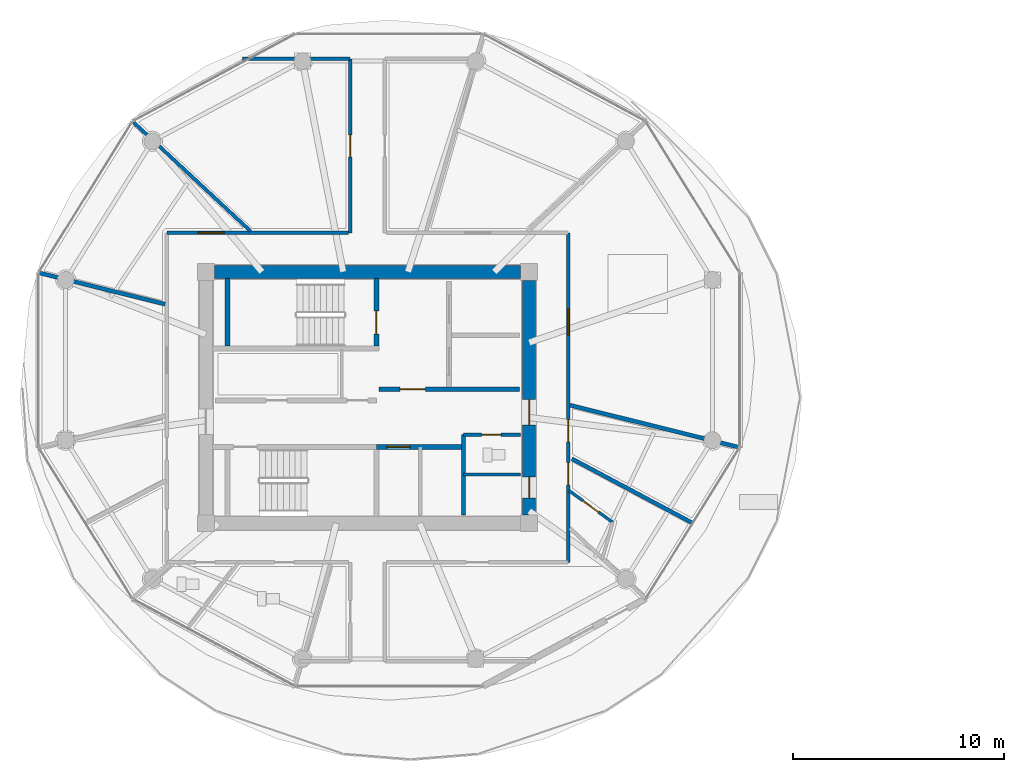
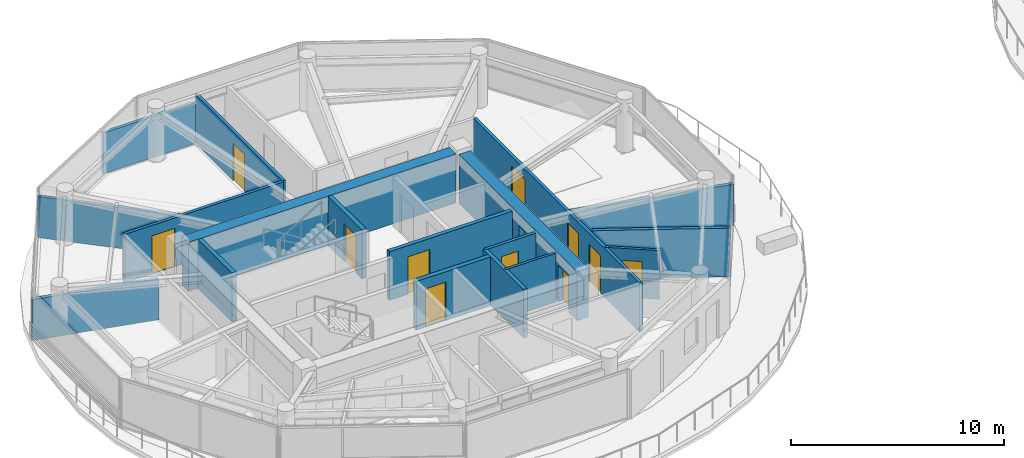
# One storey, part 14 of 28: 18 walls, 12 doors, 12 openings.
"""IFC4 building model written with IfcOpenShell, lengths in metres."""

from ifc_helpers import new_model, si_unit, direction, frame, frame_2d, origin, place, context, subcontext, project, spatial, rectangle, extrude, source, transform, mapped, material, layer, layer_set, type_object, type_shapes, element, fill, save


model = new_model("IFC4")

# Units and contexts
model_context = context("Model", 3, precision=1e-05, world=origin(), true_north=direction((0.0, 1.0)))
body_context = subcontext(model_context, "Body", "Model", "MODEL_VIEW")
ifc_project = project(units=[si_unit("LENGTHUNIT", "METRE"), si_unit("AREAUNIT", "SQUARE_METRE"), si_unit("VOLUMEUNIT", "CUBIC_METRE"), si_unit("PLANEANGLEUNIT", "RADIAN"), si_unit("MASSUNIT", "GRAM", prefix="KILO")], contexts=[model_context])

# Site, building, storey
site_placement = place(None, origin())
site = spatial("IfcSite", under=ifc_project, at=site_placement, CompositionType="ELEMENT")
building_placement = place(site_placement, origin())
building = spatial("IfcBuilding", under=site, at=building_placement, Name="Norrkilde Senior Care Towers", CompositionType="ELEMENT")
storey_placement = place(building_placement, frame((0.0, 0.0, 134.300048828125)))
storey = spatial("IfcBuildingStorey", under=building, at=storey_placement, Name="L41", CompositionType="ELEMENT", Elevation=134.300048828125)

# Wall
ifc_material_1 = material(Name="Concrete C50/60", Category="concrete")
ifc_layer_1 = layer(ifc_material_1, 0.6201171875)
ifc_layer_set_1 = layer_set([ifc_layer_1], Name="Concrete C50/60")
wall_type_1 = type_object("IfcWallType", Name="Core Shear Wall Z3 620", PredefinedType="SHEAR", material=ifc_layer_set_1)
shared_shape_1 = source(origin(), body_context, "Body", "SweptSolid", [
    extrude(rectangle(XDim=14.5, YDim=0.6201171875, at=frame_2d((7.25, 0.0))), origin(), (0.0, 0.0, 1.0), 2.81005859375),
])
wall_1_placement = place(storey_placement, frame((-35.25, 5.949951171875, 0.0), z_axis=(0.0, 0.0, 1.0), x_axis=(1.0, 0.0, 0.0)))
element("IfcWall", 1, at=wall_1_placement, inside=storey, type_object=wall_type_1, Name="L41 Core W North Shear Wall", PredefinedType="SHEAR", context=body_context, shape_type="MappedRepresentation", body=[
    mapped(shared_shape_1, transform((0.0, 0.0, 0.0), x_axis=(1.0, 0.0, 0.0), y_axis=(0.0, 1.0, 0.0), z_axis=(0.0, 0.0, 1.0), scale=1.0)),
])

# Wall, openings, doors
shared_shape_2 = source(origin(), body_context, "Body", "SweptSolid", [
    extrude(rectangle(XDim=11.10009765625, YDim=0.6201171875, at=frame_2d((5.550048828125, 0.0))), origin(), (0.0, 0.0, 1.0), 2.81005859375),
])
type_shapes(wall_type_1, [shared_shape_1, shared_shape_2])
wall_2_placement = place(storey_placement, frame((-20.35009765625, 5.550048828125, 0.0), z_axis=(0.0, 0.0, 1.0), x_axis=(0.0, -1.0, 0.0)))
wall_2 = element("IfcWall", 2, at=wall_2_placement, inside=storey, type_object=wall_type_1, Name="L41 Core W East Shear Wall", PredefinedType="SHEAR", context=body_context, shape_type="MappedRepresentation", body=[
    mapped(shared_shape_2, transform((0.0, 0.0, 0.0), x_axis=(1.0, 0.0, 0.0), y_axis=(0.0, 1.0, 0.0), z_axis=(0.0, 0.0, 1.0), scale=1.0)),
])
opening_1_placement = place(wall_2_placement, frame((5.64990234375, 0.0, 0.0)))
opening_1 = element("IfcOpeningElement", 3, at=opening_1_placement, cuts=wall_2, Name="Opening D-04", PredefinedType="OPENING", context=body_context, shape_type="SweptSolid", body=[
    extrude(rectangle(XDim=1.199951171875, YDim=2.14990234375, at=frame_2d((0.60009765625, 1.074951171875))), frame((0.0, 0.320068359375, 0.0), z_axis=(0.0, -1.0, 0.0), x_axis=(1.0, 0.0, 0.0)), (0.0, 0.0, 1.0), 0.64013671875),
])
opening_2_placement = place(wall_2_placement, frame((9.300048828125, 0.0, 0.0)))
opening_2 = element("IfcOpeningElement", 4, at=opening_2_placement, cuts=wall_2, Name="Opening D-10", PredefinedType="OPENING", context=body_context, shape_type="SweptSolid", body=[
    extrude(rectangle(XDim=1.0, YDim=2.10009765625, at=frame_2d((0.5, 1.050048828125))), frame((0.0, 0.320068359375, 0.0), z_axis=(0.0, -1.0, 0.0), x_axis=(1.0, 0.0, 0.0)), (0.0, 0.0, 1.0), 0.64013671875),
])
ifc_material_2 = material(Name="Galvanised Painted Steel", Category="steel")
door_type_1 = type_object("IfcDoorType", Name="Firefighting Lobby Fire Door 1200x2150", OperationType="NOTDEFINED", PredefinedType="DOOR", material=ifc_material_2)
shared_shape_3 = source(origin(), body_context, "Body", "SweptSolid", [
    extrude(rectangle(XDim=1.199951171875, YDim=2.14990234375, at=frame_2d((0.60009765625, 1.074951171875))), frame((0.0, 0.02490234375, 0.0), z_axis=(0.0, -1.0, 0.0), x_axis=(1.0, 0.0, 0.0)), (0.0, 0.0, 1.0), 0.050048828125),
])
type_shapes(door_type_1, [shared_shape_3])
door_1_placement = place(opening_1_placement, frame((1.199951171875, 0.0, 0.0), z_axis=(0.0, 0.0, 1.0), x_axis=(-1.0, 0.0, 0.0)))
door_1 = element("IfcDoor", 5, at=door_1_placement, inside=storey, type_object=door_type_1, Name="L41 Core W East Portal Door", OperationType="SINGLE_SWING_RIGHT", OverallHeight=2.14990234375, OverallWidth=1.199951171875, PredefinedType="DOOR", context=body_context, shape_type="MappedRepresentation", body=[
    mapped(shared_shape_3, transform((0.0, 0.0, 0.0), x_axis=(1.0, 0.0, 0.0), y_axis=(0.0, 1.0, 0.0), z_axis=(0.0, 0.0, 1.0), scale=1.0)),
])
fill(opening_1, door_1)
door_type_2 = type_object("IfcDoorType", Name="Plant and Riser Rated Door 1000x2100", OperationType="NOTDEFINED", PredefinedType="DOOR", material=ifc_material_2)
shared_shape_4 = source(origin(), body_context, "Body", "SweptSolid", [
    extrude(rectangle(XDim=1.0, YDim=2.10009765625, at=frame_2d((0.5, 1.050048828125))), frame((0.0, 0.02490234375, 0.0), z_axis=(0.0, -1.0, 0.0), x_axis=(1.0, 0.0, 0.0)), (0.0, 0.0, 1.0), 0.050048828125),
])
type_shapes(door_type_2, [shared_shape_4])
door_2_placement = place(opening_2_placement, frame((1.0, 0.0, 0.0), z_axis=(0.0, 0.0, 1.0), x_axis=(-1.0, 0.0, 0.0)))
door_2 = element("IfcDoor", 6, at=door_2_placement, inside=storey, type_object=door_type_2, Name="L41 Ventilation Riser W Door", OperationType="SINGLE_SWING_RIGHT", OverallHeight=2.10009765625, OverallWidth=1.0, PredefinedType="DOOR", context=body_context, shape_type="MappedRepresentation", body=[
    mapped(shared_shape_4, transform((0.0, 0.0, 0.0), x_axis=(1.0, 0.0, 0.0), y_axis=(0.0, 1.0, 0.0), z_axis=(0.0, 0.0, 1.0), scale=1.0)),
])
fill(opening_2, door_2)

# Wall
ifc_material_3 = material(Name="Concrete C45/55", Category="concrete")
ifc_layer_2 = layer(ifc_material_3, 0.239990234375)
ifc_layer_set_2 = layer_set([ifc_layer_2], Name="Concrete C45/55")
wall_type_2 = type_object("IfcWallType", Name="Shaft and Stair Enclosure Wall 240", PredefinedType="PARTITIONING", material=ifc_layer_set_2)
shared_shape_5 = source(origin(), body_context, "Body", "SweptSolid", [
    extrude(rectangle(XDim=3.18994140625, YDim=0.239990234375, at=frame_2d((1.594970703125, 0.0))), origin(), (0.0, 0.0, 1.0), 2.81005859375),
])
type_shapes(wall_type_2, [shared_shape_5])
wall_3_placement = place(storey_placement, frame((-34.6201171875, 2.449951171875, 0.0), z_axis=(0.0, 0.0, 1.0), x_axis=(0.0, 1.0, 0.0)))
element("IfcWall", 7, at=wall_3_placement, inside=storey, type_object=wall_type_2, Name="WL-INT-L41-W-ST1W", PredefinedType="PARTITIONING", context=body_context, shape_type="MappedRepresentation", body=[
    mapped(shared_shape_5, transform((0.0, 0.0, 0.0), x_axis=(1.0, 0.0, 0.0), y_axis=(0.0, 1.0, 0.0), z_axis=(0.0, 0.0, 1.0), scale=1.0)),
])

# Wall, opening, door
wall_4_placement = place(storey_placement, frame((-27.580078125, 2.449951171875, 0.0), z_axis=(0.0, 0.0, 1.0), x_axis=(0.0, 1.0, 0.0)))
wall_4 = element("IfcWall", 8, at=wall_4_placement, inside=storey, type_object=wall_type_2, Name="WL-INT-L41-W-ST1E", PredefinedType="PARTITIONING", context=body_context, shape_type="MappedRepresentation", body=[
    mapped(shared_shape_5, transform((0.0, 0.0, 0.0), x_axis=(1.0, 0.0, 0.0), y_axis=(0.0, 1.0, 0.0), z_axis=(0.0, 0.0, 1.0), scale=1.0)),
])
opening_3_placement = place(wall_4_placement, frame((0.550048828125, 0.0, 0.0)))
opening_3 = element("IfcOpeningElement", 9, at=opening_3_placement, cuts=wall_4, Name="Opening D-03", PredefinedType="OPENING", context=body_context, shape_type="SweptSolid", body=[
    extrude(rectangle(XDim=1.10009765625, YDim=2.14990234375, at=frame_2d((0.550048828125, 1.074951171875))), frame((0.0, 0.1298828125, 0.0), z_axis=(0.0, -1.0, 0.0), x_axis=(1.0, 0.0, 0.0)), (0.0, 0.0, 1.0), 0.260009765625),
])
door_type_3 = type_object("IfcDoorType", Name="Stairwell Protected Fire Door 1100x2150", OperationType="NOTDEFINED", PredefinedType="DOOR", material=ifc_material_2)
shared_shape_6 = source(origin(), body_context, "Body", "SweptSolid", [
    extrude(rectangle(XDim=1.10009765625, YDim=2.14990234375, at=frame_2d((0.550048828125, 1.074951171875))), frame((0.0, 0.02490234375, 0.0), z_axis=(0.0, -1.0, 0.0), x_axis=(1.0, 0.0, 0.0)), (0.0, 0.0, 1.0), 0.050048828125),
])
type_shapes(door_type_3, [shared_shape_6])
door_3_placement = place(opening_3_placement, origin())
door_3 = element("IfcDoor", 10, at=door_3_placement, inside=storey, type_object=door_type_3, Name="L41 Stair W1 Fire Door", OperationType="SINGLE_SWING_LEFT", OverallHeight=2.14990234375, OverallWidth=1.10009765625, PredefinedType="DOOR", context=body_context, shape_type="MappedRepresentation", body=[
    mapped(shared_shape_6, transform((0.0, 0.0, 0.0), x_axis=(1.0, 0.0, 0.0), y_axis=(0.0, 1.0, 0.0), z_axis=(0.0, 0.0, 1.0), scale=1.0)),
])
fill(opening_3, door_3)

ifc_layer_3 = layer(ifc_material_3, 0.2099609375)
ifc_layer_set_3 = layer_set([ifc_layer_3], Name="Concrete C45/55")
wall_type_3 = type_object("IfcWallType", Name="Firefighting Lobby Wall 210", PredefinedType="PARTITIONING", material=ifc_layer_set_3)
shared_shape_7 = source(origin(), body_context, "Body", "SweptSolid", [
    extrude(rectangle(XDim=6.659912109375, YDim=0.2099609375, at=frame_2d((3.330078125, 0.0))), origin(), (0.0, 0.0, 1.0), 2.794921875),
])
type_shapes(wall_type_3, [shared_shape_7])
wall_5_placement = place(storey_placement, frame((-27.4599609375, 0.389892578125, 0.0), z_axis=(0.0, 0.0, 1.0), x_axis=(1.0, 0.0, 0.0)))
wall_5 = element("IfcWall", 11, at=wall_5_placement, inside=storey, type_object=wall_type_3, Name="WL-INT-L41-W-FFLS", PredefinedType="PARTITIONING", context=body_context, shape_type="MappedRepresentation", body=[
    mapped(shared_shape_7, transform((0.0, 0.0, 0.0), x_axis=(1.0, 0.0, 0.0), y_axis=(0.0, 1.0, 0.0), z_axis=(0.0, 0.0, 1.0), scale=1.0)),
])
opening_4_placement = place(wall_5_placement, frame((1.0, 0.0, 0.0)))
opening_4 = element("IfcOpeningElement", 12, at=opening_4_placement, cuts=wall_5, Name="Opening D-04", PredefinedType="OPENING", context=body_context, shape_type="SweptSolid", body=[
    extrude(rectangle(XDim=1.199951171875, YDim=2.14990234375, at=frame_2d((0.60009765625, 1.074951171875))), frame((0.0, 0.114990234375, 0.0), z_axis=(0.0, -1.0, 0.0), x_axis=(1.0, 0.0, 0.0)), (0.0, 0.0, 1.0), 0.22998046875),
])
door_4_placement = place(opening_4_placement, frame((1.199951171875, 0.0, 0.0), z_axis=(0.0, 0.0, 1.0), x_axis=(-1.0, 0.0, 0.0)))
door_4 = element("IfcDoor", 13, at=door_4_placement, inside=storey, type_object=door_type_1, Name="L41 Firefighting Lobby W Door", OperationType="SINGLE_SWING_LEFT", OverallHeight=2.14990234375, OverallWidth=1.199951171875, PredefinedType="DOOR", context=body_context, shape_type="MappedRepresentation", body=[
    mapped(shared_shape_3, transform((0.0, 0.0, 0.0), x_axis=(1.0, 0.0, 0.0), y_axis=(0.0, 1.0, 0.0), z_axis=(0.0, 0.0, 1.0), scale=1.0)),
])
fill(opening_4, door_4)

# Wall
ifc_layer_4 = layer(ifc_material_3, 0.199951171875)
ifc_layer_set_4 = layer_set([ifc_layer_4], Name="Concrete C45/55")
wall_type_4 = type_object("IfcWallType", Name="Shaft Division and Plant Partition 200", PredefinedType="PARTITIONING", material=ifc_layer_set_4)
shared_shape_8 = source(origin(), body_context, "Body", "SweptSolid", [
    extrude(rectangle(XDim=3.800048828125, YDim=0.199951171875, at=frame_2d((1.89990234375, 0.0))), origin(), (0.0, 0.0, 1.0), 2.794921875),
])
type_shapes(wall_type_4, [shared_shape_8])
wall_6_placement = place(storey_placement, frame((-23.449951171875, -5.550048828125, 0.0), z_axis=(0.0, 0.0, 1.0), x_axis=(0.0, 1.0, 0.0)))
element("IfcWall", 14, at=wall_6_placement, inside=storey, type_object=wall_type_4, Name="WL-INT-L41-W-PKBE", PredefinedType="PARTITIONING", context=body_context, shape_type="MappedRepresentation", body=[
    mapped(shared_shape_8, transform((0.0, 0.0, 0.0), x_axis=(1.0, 0.0, 0.0), y_axis=(0.0, 1.0, 0.0), z_axis=(0.0, 0.0, 1.0), scale=1.0)),
])

# Wall, opening, door
ifc_layer_5 = layer(ifc_material_3, 0.239990234375)
ifc_layer_set_5 = layer_set([ifc_layer_5], Name="Concrete C45/55")
wall_type_5 = type_object("IfcWallType", Name="Lift and Plant Rated Enclosure Partition 240", PredefinedType="PARTITIONING", material=ifc_layer_set_5)
shared_shape_9 = source(origin(), body_context, "Body", "SweptSolid", [
    extrude(rectangle(XDim=4.130126953125, YDim=0.239990234375, at=frame_2d((2.06494140625, 0.0))), origin(), (0.0, 0.0, 1.0), 2.794921875),
])
type_shapes(wall_type_5, [shared_shape_9])
wall_7_placement = place(storey_placement, frame((-27.580078125, -2.330078125, 0.0), z_axis=(0.0, 0.0, 1.0), x_axis=(1.0, 0.0, 0.0)))
wall_7 = element("IfcWall", 15, at=wall_7_placement, inside=storey, type_object=wall_type_5, Name="WL-INT-L41-W-PKBN", PredefinedType="PARTITIONING", context=body_context, shape_type="MappedRepresentation", body=[
    mapped(shared_shape_9, transform((0.0, 0.0, 0.0), x_axis=(1.0, 0.0, 0.0), y_axis=(0.0, 1.0, 0.0), z_axis=(0.0, 0.0, 1.0), scale=1.0)),
])
opening_5_placement = place(wall_7_placement, frame((0.5, 0.0, 0.0)))
opening_5 = element("IfcOpeningElement", 16, at=opening_5_placement, cuts=wall_7, Name="Opening LD-01", PredefinedType="OPENING", context=body_context, shape_type="SweptSolid", body=[
    extrude(rectangle(XDim=1.10009765625, YDim=2.199951171875, at=frame_2d((0.550048828125, 1.10009765625))), frame((0.0, 0.1298828125, 0.0), z_axis=(0.0, -1.0, 0.0), x_axis=(1.0, 0.0, 0.0)), (0.0, 0.0, 1.0), 0.260009765625),
])
ifc_material_4 = material(Name="Stainless Steel", Category="steel")
door_type_4 = type_object("IfcDoorType", Name="Lift Landing Sliding Door 1100x2200", OperationType="NOTDEFINED", PredefinedType="DOOR", material=ifc_material_4)
shared_shape_10 = source(origin(), body_context, "Body", "SweptSolid", [
    extrude(rectangle(XDim=1.10009765625, YDim=2.199951171875, at=frame_2d((0.550048828125, 1.10009765625))), frame((0.0, 0.02490234375, 0.0), z_axis=(0.0, -1.0, 0.0), x_axis=(1.0, 0.0, 0.0)), (0.0, 0.0, 1.0), 0.050048828125),
])
type_shapes(door_type_4, [shared_shape_10])
door_5_placement = place(opening_5_placement, frame((1.10009765625, 0.0, 0.0), z_axis=(0.0, 0.0, 1.0), x_axis=(-1.0, 0.0, 0.0)))
door_5 = element("IfcDoor", 17, at=door_5_placement, inside=storey, type_object=door_type_4, Name="L41 Passenger Lift W3 Landing Door", OperationType="SLIDING_TO_LEFT", OverallHeight=2.199951171875, OverallWidth=1.10009765625, PredefinedType="DOOR", context=body_context, shape_type="MappedRepresentation", body=[
    mapped(shared_shape_10, transform((0.0, 0.0, 0.0), x_axis=(1.0, 0.0, 0.0), y_axis=(0.0, 1.0, 0.0), z_axis=(0.0, 0.0, 1.0), scale=1.0)),
])
fill(opening_5, door_5)

ifc_material_5 = material(Name="Gypsum Acoustic Board")
ifc_layer_6 = layer(ifc_material_5, 0.1650390625)
ifc_layer_set_6 = layer_set([ifc_layer_6], Name="Gypsum Acoustic Board")
wall_type_6 = type_object("IfcWallType", Name="Corridor Rated Partition 165", PredefinedType="PARTITIONING", material=ifc_layer_set_6)
shared_shape_11 = source(origin(), body_context, "Body", "SweptSolid", [
    extrude(rectangle(XDim=2.699951171875, YDim=0.1650390625, at=frame_2d((1.35009765625, 0.0))), origin(), (0.0, 0.0, 1.0), 2.794921875),
])
wall_8_placement = place(storey_placement, frame((-23.449951171875, -1.75, 0.0), z_axis=(0.0, 0.0, 1.0), x_axis=(1.0, 0.0, 0.0)))
wall_8 = element("IfcWall", 18, at=wall_8_placement, inside=storey, type_object=wall_type_6, Name="WL-INT-L41-W-CSN", PredefinedType="PARTITIONING", context=body_context, shape_type="MappedRepresentation", body=[
    mapped(shared_shape_11, transform((0.0, 0.0, 0.0), x_axis=(1.0, 0.0, 0.0), y_axis=(0.0, 1.0, 0.0), z_axis=(0.0, 0.0, 1.0), scale=1.0)),
])
opening_6_placement = place(wall_8_placement, frame((0.85009765625, 0.0, 0.0)))
opening_6 = element("IfcOpeningElement", 19, at=opening_6_placement, cuts=wall_8, Name="Opening D-12", PredefinedType="OPENING", context=body_context, shape_type="SweptSolid", body=[
    extrude(rectangle(XDim=0.925048828125, YDim=2.10009765625, at=frame_2d((0.46240234375, 1.050048828125))), frame((0.0, 0.092529296875, 0.0), z_axis=(0.0, -1.0, 0.0), x_axis=(1.0, 0.0, 0.0)), (0.0, 0.0, 1.0), 0.18505859375),
])
door_type_5 = type_object("IfcDoorType", Name="Core Wet Room Rated Door 925x2100", OperationType="NOTDEFINED", PredefinedType="DOOR", material=ifc_material_2)
shared_shape_12 = source(origin(), body_context, "Body", "SweptSolid", [
    extrude(rectangle(XDim=0.925048828125, YDim=2.10009765625, at=frame_2d((0.46240234375, 1.050048828125))), frame((0.0, 0.02490234375, 0.0), z_axis=(0.0, -1.0, 0.0), x_axis=(1.0, 0.0, 0.0)), (0.0, 0.0, 1.0), 0.050048828125),
])
type_shapes(door_type_5, [shared_shape_12])
door_6_placement = place(opening_6_placement, origin())
door_6 = element("IfcDoor", 20, at=door_6_placement, inside=storey, type_object=door_type_5, Name="L41 Staff WC W Door", OperationType="SINGLE_SWING_LEFT", OverallHeight=2.10009765625, OverallWidth=0.925048828125, PredefinedType="DOOR", context=body_context, shape_type="MappedRepresentation", body=[
    mapped(shared_shape_12, transform((0.0, 0.0, 0.0), x_axis=(1.0, 0.0, 0.0), y_axis=(0.0, 1.0, 0.0), z_axis=(0.0, 0.0, 1.0), scale=1.0)),
])
fill(opening_6, door_6)

# Wall
ifc_layer_7 = layer(ifc_material_5, 0.139892578125)
ifc_layer_set_7 = layer_set([ifc_layer_7], Name="Gypsum Acoustic Board")
wall_type_7 = type_object("IfcWallType", Name="En-suite Wet Room Wall 140", PredefinedType="PARTITIONING", material=ifc_layer_set_7)
shared_shape_13 = source(origin(), body_context, "Body", "SweptSolid", [
    extrude(rectangle(XDim=2.699951171875, YDim=0.139892578125, at=frame_2d((1.35009765625, 0.0))), origin(), (0.0, 0.0, 1.0), 2.794921875),
])
wall_9_placement = place(storey_placement, frame((-23.449951171875, -3.64990234375, 0.0), z_axis=(0.0, 0.0, 1.0), x_axis=(1.0, 0.0, 0.0)))
element("IfcWall", 21, at=wall_9_placement, inside=storey, type_object=wall_type_7, Name="WL-INT-L41-W-CS2H", PredefinedType="PARTITIONING", context=body_context, shape_type="MappedRepresentation", body=[
    mapped(shared_shape_13, transform((0.0, 0.0, 0.0), x_axis=(1.0, 0.0, 0.0), y_axis=(0.0, 1.0, 0.0), z_axis=(0.0, 0.0, 1.0), scale=1.0)),
])

# Wall, opening, door
shared_shape_14 = source(origin(), body_context, "Body", "SweptSolid", [
    extrude(rectangle(XDim=8.60009765625, YDim=0.1650390625, at=frame_2d((4.300048828125, 0.0))), origin(), (0.0, 0.0, 1.0), 2.794921875),
])
wall_10_placement = place(storey_placement, frame((-37.5, 7.800048828125, 0.0), z_axis=(0.0, 0.0, 1.0), x_axis=(1.0, 0.0, 0.0)))
wall_10 = element("IfcWall", 22, at=wall_10_placement, inside=storey, type_object=wall_type_6, Name="WL-INT-L41-W-CRW-N-0", PredefinedType="PARTITIONING", context=body_context, shape_type="MappedRepresentation", body=[
    mapped(shared_shape_14, transform((0.0, 0.0, 0.0), x_axis=(1.0, 0.0, 0.0), y_axis=(0.0, 1.0, 0.0), z_axis=(0.0, 0.0, 1.0), scale=1.0)),
])
opening_7_placement = place(wall_10_placement, frame((1.47119140625, 0.0, 0.0)))
opening_7 = element("IfcOpeningElement", 23, at=opening_7_placement, cuts=wall_10, Name="Opening D-05", PredefinedType="OPENING", context=body_context, shape_type="SweptSolid", body=[
    extrude(rectangle(XDim=1.25, YDim=2.199951171875, at=frame_2d((0.625, 1.10009765625))), frame((0.0, 0.092529296875, 0.0), z_axis=(0.0, -1.0, 0.0), x_axis=(1.0, 0.0, 0.0)), (0.0, 0.0, 1.0), 0.18505859375),
])
ifc_material_6 = material(Name="Nordic Ash Timber", Category="wood")
door_type_6 = type_object("IfcDoorType", Name="Care Bedroom Bariatric Door 1250x2200", OperationType="NOTDEFINED", PredefinedType="DOOR", material=ifc_material_6)
shared_shape_15 = source(origin(), body_context, "Body", "SweptSolid", [
    extrude(rectangle(XDim=1.25, YDim=2.199951171875, at=frame_2d((0.625, 1.10009765625))), frame((0.0, 0.02490234375, 0.0), z_axis=(0.0, -1.0, 0.0), x_axis=(1.0, 0.0, 0.0)), (0.0, 0.0, 1.0), 0.050048828125),
])
type_shapes(door_type_6, [shared_shape_15])
door_7_placement = place(opening_7_placement, frame((1.25, 0.0, 0.0), z_axis=(0.0, 0.0, 1.0), x_axis=(-1.0, 0.0, 0.0)))
door_7 = element("IfcDoor", 24, at=door_7_placement, inside=storey, type_object=door_type_6, Name="L41 Sky-Garden Observatory Dining Salon L41 Door", OperationType="SINGLE_SWING_LEFT", OverallHeight=2.199951171875, OverallWidth=1.25, PredefinedType="DOOR", context=body_context, shape_type="MappedRepresentation", body=[
    mapped(shared_shape_15, transform((0.0, 0.0, 0.0), x_axis=(1.0, 0.0, 0.0), y_axis=(0.0, 1.0, 0.0), z_axis=(0.0, 0.0, 1.0), scale=1.0)),
])
fill(opening_7, door_7)

# Wall, openings, doors
shared_shape_16 = source(origin(), body_context, "Body", "SweptSolid", [
    extrude(rectangle(XDim=15.60009765625, YDim=0.1650390625, at=frame_2d((7.800048828125, 0.0))), origin(), (0.0, 0.0, 1.0), 2.794921875),
])
wall_11_placement = place(storey_placement, frame((-18.5, 7.800048828125, 0.0), z_axis=(0.0, 0.0, 1.0), x_axis=(0.0, -1.0, 0.0)))
wall_11 = element("IfcWall", 25, at=wall_11_placement, inside=storey, type_object=wall_type_6, Name="WL-INT-L41-W-CRW-E-0", PredefinedType="PARTITIONING", context=body_context, shape_type="MappedRepresentation", body=[
    mapped(shared_shape_16, transform((0.0, 0.0, 0.0), x_axis=(1.0, 0.0, 0.0), y_axis=(0.0, 1.0, 0.0), z_axis=(0.0, 0.0, 1.0), scale=1.0)),
])
opening_8_placement = place(wall_11_placement, frame((10.881103515625, 0.0, 0.0)))
opening_8 = element("IfcOpeningElement", 26, at=opening_8_placement, cuts=wall_11, Name="Opening D-06", PredefinedType="OPENING", context=body_context, shape_type="SweptSolid", body=[
    extrude(rectangle(XDim=1.050048828125, YDim=2.14990234375, at=frame_2d((0.52490234375, 1.074951171875))), frame((0.0, 0.092529296875, 0.0), z_axis=(0.0, -1.0, 0.0), x_axis=(1.0, 0.0, 0.0)), (0.0, 0.0, 1.0), 0.18505859375),
])
opening_9_placement = place(wall_11_placement, frame((8.844482421875, 0.0, 0.0)))
opening_9 = element("IfcOpeningElement", 27, at=opening_9_placement, cuts=wall_11, Name="Opening D-06", PredefinedType="OPENING", context=body_context, shape_type="SweptSolid", body=[
    extrude(rectangle(XDim=1.050048828125, YDim=2.14990234375, at=frame_2d((0.52490234375, 1.074951171875))), frame((0.0, 0.092529296875, 0.0), z_axis=(0.0, -1.0, 0.0), x_axis=(1.0, 0.0, 0.0)), (0.0, 0.0, 1.0), 0.18505859375),
])
opening_10_placement = place(wall_11_placement, frame((3.595703125, 0.0, 0.0)))
opening_10 = element("IfcOpeningElement", 28, at=opening_10_placement, cuts=wall_11, Name="Opening D-05", PredefinedType="OPENING", context=body_context, shape_type="SweptSolid", body=[
    extrude(rectangle(XDim=1.25, YDim=2.199951171875, at=frame_2d((0.625, 1.10009765625))), frame((0.0, 0.092529296875, 0.0), z_axis=(0.0, -1.0, 0.0), x_axis=(1.0, 0.0, 0.0)), (0.0, 0.0, 1.0), 0.18505859375),
])
door_8_placement = place(opening_10_placement, frame((1.25, 0.0, 0.0), z_axis=(0.0, 0.0, 1.0), x_axis=(-1.0, 0.0, 0.0)))
door_8 = element("IfcDoor", 29, at=door_8_placement, inside=storey, type_object=door_type_6, Name="L41 Household Communal Dining Salon Door", OperationType="SINGLE_SWING_RIGHT", OverallHeight=2.199951171875, OverallWidth=1.25, PredefinedType="DOOR", context=body_context, shape_type="MappedRepresentation", body=[
    mapped(shared_shape_15, transform((0.0, 0.0, 0.0), x_axis=(1.0, 0.0, 0.0), y_axis=(0.0, 1.0, 0.0), z_axis=(0.0, 0.0, 1.0), scale=1.0)),
])
fill(opening_10, door_8)
door_type_7 = type_object("IfcDoorType", Name="Apartment Entrance Fire Door 1050x2150", OperationType="NOTDEFINED", PredefinedType="DOOR", material=ifc_material_6)
shared_shape_17 = source(origin(), body_context, "Body", "SweptSolid", [
    extrude(rectangle(XDim=1.050048828125, YDim=2.14990234375, at=frame_2d((0.52490234375, 1.074951171875))), frame((0.0, 0.02490234375, 0.0), z_axis=(0.0, -1.0, 0.0), x_axis=(1.0, 0.0, 0.0)), (0.0, 0.0, 1.0), 0.050048828125),
])
type_shapes(door_type_7, [shared_shape_17])
door_9_placement = place(opening_8_placement, frame((1.050048828125, 0.0, 0.0), z_axis=(0.0, 0.0, 1.0), x_axis=(-1.0, 0.0, 0.0)))
door_9 = element("IfcDoor", 30, at=door_9_placement, inside=storey, type_object=door_type_7, Name="L41 Care Suite 4110A Entrance Door", OperationType="SINGLE_SWING_LEFT", OverallHeight=2.14990234375, OverallWidth=1.050048828125, PredefinedType="DOOR", context=body_context, shape_type="MappedRepresentation", body=[
    mapped(shared_shape_17, transform((0.0, 0.0, 0.0), x_axis=(1.0, 0.0, 0.0), y_axis=(0.0, 1.0, 0.0), z_axis=(0.0, 0.0, 1.0), scale=1.0)),
])
fill(opening_8, door_9)
door_10_placement = place(opening_9_placement, frame((1.050048828125, 0.0, 0.0), z_axis=(0.0, 0.0, 1.0), x_axis=(-1.0, 0.0, 0.0)))
door_10 = element("IfcDoor", 31, at=door_10_placement, inside=storey, type_object=door_type_7, Name="L41 Therapy Day Lounge 10 Door", OperationType="SINGLE_SWING_RIGHT", OverallHeight=2.14990234375, OverallWidth=1.050048828125, PredefinedType="DOOR", context=body_context, shape_type="MappedRepresentation", body=[
    mapped(shared_shape_17, transform((0.0, 0.0, 0.0), x_axis=(1.0, 0.0, 0.0), y_axis=(0.0, 1.0, 0.0), z_axis=(0.0, 0.0, 1.0), scale=1.0)),
])
fill(opening_9, door_10)

# Wall
shared_shape_18 = source(origin(), body_context, "Body", "SweptSolid", [
    extrude(rectangle(XDim=7.64794921875, YDim=0.1650390625, at=frame_2d((3.823974609375, 0.0))), origin(), (0.0, 0.0, 1.0), 2.344970703125),
])
wall_12_placement = place(storey_placement, frame((-33.53759765625, 7.8798828125, 0.0), z_axis=(0.0, 0.0, 1.0), x_axis=(-0.732167856666, 0.681124239522, 0.0)))
element("IfcWall", 32, at=wall_12_placement, inside=storey, type_object=wall_type_6, Name="WL-INT-L41-W-DEM-04-0", PredefinedType="PARTITIONING", context=body_context, shape_type="MappedRepresentation", body=[
    mapped(shared_shape_18, transform((0.0, 0.0, 0.0), x_axis=(1.0, 0.0, 0.0), y_axis=(0.0, 1.0, 0.0), z_axis=(0.0, 0.0, 1.0), scale=1.0)),
])

# Wall, opening, door
shared_shape_19 = source(origin(), body_context, "Body", "SweptSolid", [
    extrude(rectangle(XDim=8.2353515625, YDim=0.1650390625, at=frame_2d((4.11767578125, 0.0))), origin(), (0.0, 0.0, 1.0), 2.794921875),
])
wall_13_placement = place(storey_placement, frame((-28.820068359375, 7.800048828125, 0.0), z_axis=(0.0, 0.0, 1.0), x_axis=(0.0, 1.0, 0.0)))
wall_13 = element("IfcWall", 33, at=wall_13_placement, inside=storey, type_object=wall_type_6, Name="WL-INT-L41-W-PKW-NWL", PredefinedType="PARTITIONING", context=body_context, shape_type="MappedRepresentation", body=[
    mapped(shared_shape_19, transform((0.0, 0.0, 0.0), x_axis=(1.0, 0.0, 0.0), y_axis=(0.0, 1.0, 0.0), z_axis=(0.0, 0.0, 1.0), scale=1.0)),
])
opening_11_placement = place(wall_13_placement, frame((3.5927734375, 0.0, 0.0)))
opening_11 = element("IfcOpeningElement", 34, at=opening_11_placement, cuts=wall_13, Name="Opening D-06", PredefinedType="OPENING", context=body_context, shape_type="SweptSolid", body=[
    extrude(rectangle(XDim=1.050048828125, YDim=2.14990234375, at=frame_2d((0.52490234375, 1.074951171875))), frame((0.0, 0.092529296875, 0.0), z_axis=(0.0, -1.0, 0.0), x_axis=(1.0, 0.0, 0.0)), (0.0, 0.0, 1.0), 0.18505859375),
])
door_11_placement = place(opening_11_placement, frame((1.050048828125, 0.0, 0.0), z_axis=(0.0, 0.0, 1.0), x_axis=(-1.0, 0.0, 0.0)))
door_11 = element("IfcDoor", 35, at=door_11_placement, inside=storey, type_object=door_type_7, Name="L41 Reading Lounge NWL Door", OperationType="SINGLE_SWING_RIGHT", OverallHeight=2.14990234375, OverallWidth=1.050048828125, PredefinedType="DOOR", context=body_context, shape_type="MappedRepresentation", body=[
    mapped(shared_shape_17, transform((0.0, 0.0, 0.0), x_axis=(1.0, 0.0, 0.0), y_axis=(0.0, 1.0, 0.0), z_axis=(0.0, 0.0, 1.0), scale=1.0)),
])
fill(opening_11, door_11)

# Walls
shared_shape_20 = source(origin(), body_context, "Body", "SweptSolid", [
    extrude(rectangle(XDim=5.0888671875, YDim=0.1650390625, at=frame_2d((2.54443359375, 0.0))), origin(), (0.0, 0.0, 1.0), 2.344970703125),
])
type_shapes(wall_type_6, [shared_shape_11, shared_shape_14, shared_shape_16, shared_shape_18, shared_shape_19, shared_shape_20])
wall_14_placement = place(storey_placement, frame((-33.908935546875, 16.035400390625, 0.0), z_axis=(0.0, 0.0, 1.0), x_axis=(1.0, 0.0, 0.0)))
element("IfcWall", 36, at=wall_14_placement, inside=storey, type_object=wall_type_6, Name="WL-INT-L41-W-PKH-NWL-0", PredefinedType="PARTITIONING", context=body_context, shape_type="MappedRepresentation", body=[
    mapped(shared_shape_20, transform((0.0, 0.0, 0.0), x_axis=(1.0, 0.0, 0.0), y_axis=(0.0, 1.0, 0.0), z_axis=(0.0, 0.0, 1.0), scale=1.0)),
])
ifc_layer_8 = layer(ifc_material_5, 0.18994140625)
ifc_layer_set_8 = layer_set([ifc_layer_8], Name="Gypsum Acoustic Board")
wall_type_8 = type_object("IfcWallType", Name="Unit Demising Acoustic Wall 190", PredefinedType="PARTITIONING", material=ifc_layer_set_8)
shared_shape_21 = source(origin(), body_context, "Body", "SweptSolid", [
    extrude(rectangle(XDim=6.192626953125, YDim=0.18994140625, at=frame_2d((3.09619140625, 0.0))), origin(), (0.0, 0.0, 1.0), 2.344970703125),
])
wall_15_placement = place(storey_placement, frame((-37.580078125, 4.418701171875, 0.0), z_axis=(0.0, 0.0, 1.0), x_axis=(-0.970309243466, 0.241867674657, 0.0)))
element("IfcWall", 37, at=wall_15_placement, inside=storey, type_object=wall_type_8, Name="WL-INT-L41-W-DEM-05-0", PredefinedType="PARTITIONING", context=body_context, shape_type="MappedRepresentation", body=[
    mapped(shared_shape_21, transform((0.0, 0.0, 0.0), x_axis=(1.0, 0.0, 0.0), y_axis=(0.0, 1.0, 0.0), z_axis=(0.0, 0.0, 1.0), scale=1.0)),
])
shared_shape_22 = source(origin(), body_context, "Body", "SweptSolid", [
    extrude(rectangle(XDim=8.305419921875, YDim=0.18994140625, at=frame_2d((4.15283203125, 0.0))), origin(), (0.0, 0.0, 1.0), 2.344970703125),
])
wall_16_placement = place(storey_placement, frame((-18.419921875, -0.35693359375, 0.0), z_axis=(0.0, 0.0, 1.0), x_axis=(0.970309994378, -0.241864662175, 0.0)))
element("IfcWall", 38, at=wall_16_placement, inside=storey, type_object=wall_type_8, Name="WL-INT-L41-W-DEM-11-0", PredefinedType="PARTITIONING", context=body_context, shape_type="MappedRepresentation", body=[
    mapped(shared_shape_22, transform((0.0, 0.0, 0.0), x_axis=(1.0, 0.0, 0.0), y_axis=(0.0, 1.0, 0.0), z_axis=(0.0, 0.0, 1.0), scale=1.0)),
])
shared_shape_23 = source(origin(), body_context, "Body", "SweptSolid", [
    extrude(rectangle(XDim=6.499267578125, YDim=0.18994140625, at=frame_2d((3.24951171875, 0.0))), origin(), (0.0, 0.0, 1.0), 2.794921875),
])
type_shapes(wall_type_8, [shared_shape_21, shared_shape_22, shared_shape_23])
wall_17_placement = place(storey_placement, frame((-18.32373046875, -2.89794921875, 0.0), z_axis=(0.0, 0.0, 1.0), x_axis=(0.882700013711, -0.469936895545, 0.0)))
element("IfcWall", 39, at=wall_17_placement, inside=storey, type_object=wall_type_8, Name="WL-INT-L41-W-CMID-10", PredefinedType="PARTITIONING", context=body_context, shape_type="MappedRepresentation", body=[
    mapped(shared_shape_23, transform((0.0, 0.0, 0.0), x_axis=(1.0, 0.0, 0.0), y_axis=(0.0, 1.0, 0.0), z_axis=(0.0, 0.0, 1.0), scale=1.0)),
])

# Wall, opening, door
shared_shape_24 = source(origin(), body_context, "Body", "SweptSolid", [
    extrude(rectangle(XDim=2.563232421875, YDim=0.139892578125, at=frame_2d((1.28173828125, 0.0))), origin(), (0.0, 0.0, 1.0), 2.794921875),
])
type_shapes(wall_type_7, [shared_shape_13, shared_shape_24])
wall_18_placement = place(storey_placement, frame((-18.469970703125, -4.39697265625, 0.0), z_axis=(0.0, 0.0, 1.0), x_axis=(0.809308208957, -0.587384220859, 0.0)))
wall_18 = element("IfcWall", 40, at=wall_18_placement, inside=storey, type_object=wall_type_7, Name="WL-INT-L41-W-ES-10A", PredefinedType="PARTITIONING", context=body_context, shape_type="MappedRepresentation", body=[
    mapped(shared_shape_24, transform((0.0, 0.0, 0.0), x_axis=(1.0, 0.0, 0.0), y_axis=(0.0, 1.0, 0.0), z_axis=(0.0, 0.0, 1.0), scale=1.0)),
])
opening_12_placement = place(wall_18_placement, frame((0.821533203125, 0.0, 0.0)))
opening_12 = element("IfcOpeningElement", 41, at=opening_12_placement, cuts=wall_18, Name="Opening D-08", PredefinedType="OPENING", context=body_context, shape_type="SweptSolid", body=[
    extrude(rectangle(XDim=0.919921875, YDim=2.10009765625, at=frame_2d((0.4599609375, 1.050048828125))), frame((0.0, 0.079833984375, 0.0), z_axis=(0.0, -1.0, 0.0), x_axis=(1.0, 0.0, 0.0)), (0.0, 0.0, 1.0), 0.159912109375),
])
door_type_8 = type_object("IfcDoorType", Name="Accessible Wet Room Door 920x2100", OperationType="NOTDEFINED", PredefinedType="DOOR", material=ifc_material_6)
shared_shape_25 = source(origin(), body_context, "Body", "SweptSolid", [
    extrude(rectangle(XDim=0.919921875, YDim=2.10009765625, at=frame_2d((0.4599609375, 1.050048828125))), frame((0.0, 0.02490234375, 0.0), z_axis=(0.0, -1.0, 0.0), x_axis=(1.0, 0.0, 0.0)), (0.0, 0.0, 1.0), 0.050048828125),
])
type_shapes(door_type_8, [shared_shape_25])
door_12_placement = place(opening_12_placement, origin())
door_12 = element("IfcDoor", 42, at=door_12_placement, inside=storey, type_object=door_type_8, Name="L41 Care Suite 4110A Bathroom Door", OperationType="SINGLE_SWING_RIGHT", OverallHeight=2.10009765625, OverallWidth=0.919921875, PredefinedType="DOOR", context=body_context, shape_type="MappedRepresentation", body=[
    mapped(shared_shape_25, transform((0.0, 0.0, 0.0), x_axis=(1.0, 0.0, 0.0), y_axis=(0.0, 1.0, 0.0), z_axis=(0.0, 0.0, 1.0), scale=1.0)),
])
fill(opening_12, door_12)

save(model, "model.ifc")
